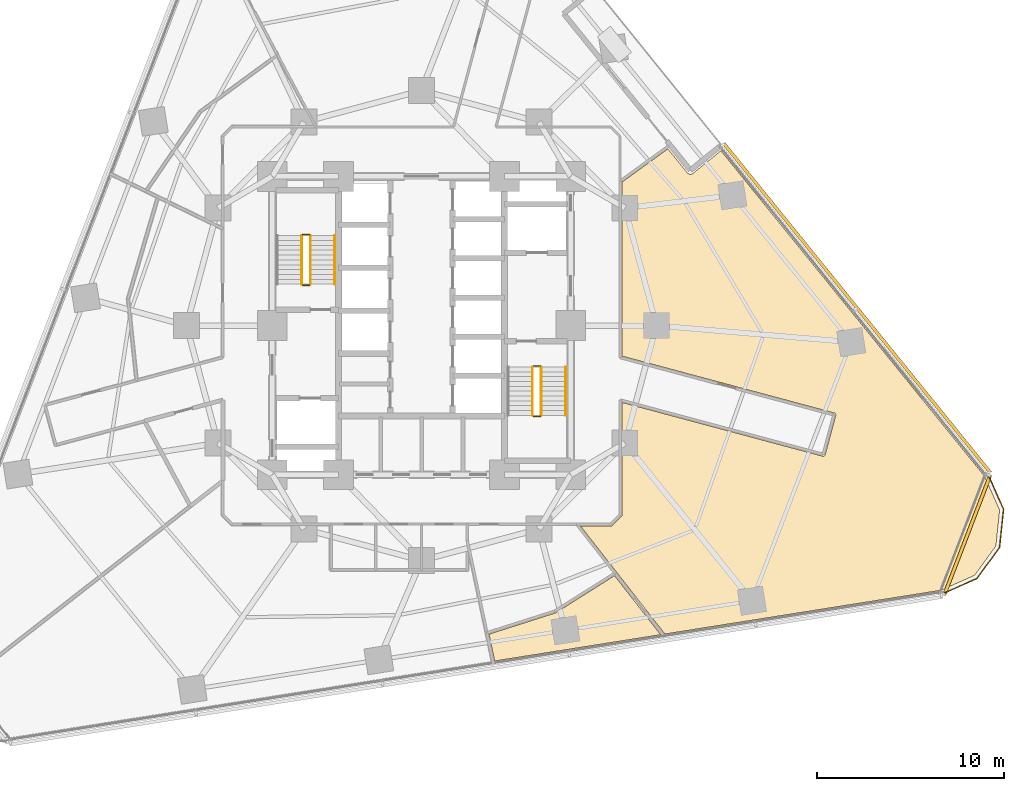
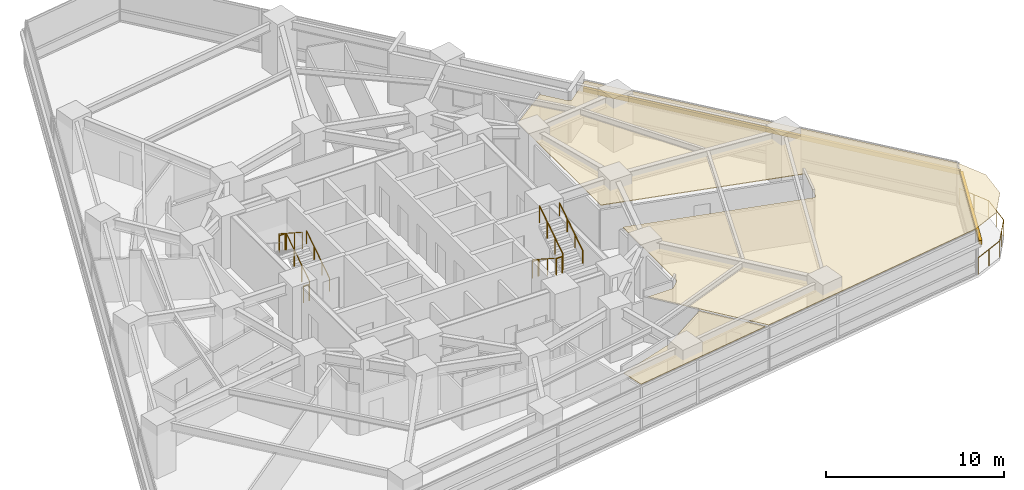
# One storey, part 12 of 13: 11 railings, 2 coverings, 2 shading devices.
"""IFC4 building model written with IfcOpenShell, lengths in metres."""

from ifc_helpers import new_model, si_unit, direction, frame, origin, origin_2d, place, context, subcontext, project, spatial, polyline, rectangle, circle, outline, extrude, material, layer, layer_set, type_object, element, save


model = new_model("IFC4")

# Units and contexts
model_context = context("Model", 3, precision=1e-05, world=origin(), true_north=direction((0.0, 1.0)))
body_context = subcontext(model_context, "Body", "Model", "MODEL_VIEW")
ifc_project = project(units=[si_unit("LENGTHUNIT", "METRE"), si_unit("AREAUNIT", "SQUARE_METRE"), si_unit("VOLUMEUNIT", "CUBIC_METRE"), si_unit("PLANEANGLEUNIT", "RADIAN"), si_unit("MASSUNIT", "GRAM", prefix="KILO")], contexts=[model_context])

# Site, building, storey
site_placement = place(None, origin())
site = spatial("IfcSite", under=ifc_project, at=site_placement, CompositionType="ELEMENT")
building_placement = place(site_placement, origin())
building = spatial("IfcBuilding", under=site, at=building_placement, Name="Terralouvre Media Tower", CompositionType="ELEMENT")
storey_placement = place(building_placement, frame((0.0, 0.0, 77.800048828125)))
storey = spatial("IfcBuildingStorey", under=building, at=storey_placement, Name="L19", CompositionType="ELEMENT", Elevation=77.800048828125)

# Coverings
ifc_material_1 = material(Name="Perforated aluminium acoustic ceiling baffle", Category="aluminium")
ifc_layer_1 = layer(ifc_material_1, 0.0400390625, Name="Perforated Acoustic Metal Tile Ceiling CL-AC1")
ifc_layer_set_1 = layer_set([ifc_layer_1], Name="Perforated aluminium acoustic ceiling baffle")
covering_type = type_object("IfcCoveringType", Name="Perforated Acoustic Metal Tile Ceiling CL-AC1", PredefinedType="CEILING", material=ifc_layer_set_1)
covering_1_placement = place(storey_placement, frame((0.0, 0.0, 2.97998046875), z_axis=(0.0, 0.0, 1.0), x_axis=(0.987688340595, 0.15643446504, 0.0)))
element("IfcCovering", 1, at=covering_1_placement, inside=storey, type_object=covering_type, Name="L19 Foreign Press Reading Study 1 Acoustic Ceiling", PredefinedType="CEILING", context=body_context, shape_type="SweptSolid", body=[
    extrude(outline(polyline([(17.325927734375, 6.7470703125), (15.6552734375, 5.782470703125), (15.64892578125, 5.779296875), (15.637939453125, 5.77392578125), (15.631591796875, 5.77099609375), (15.620849609375, 5.7666015625), (15.610107421875, 5.762939453125), (15.598388671875, 5.759765625), (15.5908203125, 5.758056640625), (15.579345703125, 5.755615234375), (15.5712890625, 5.75439453125), (15.559814453125, 5.753173828125), (15.5498046875, 5.752685546875), (15.53759765625, 5.752685546875), (15.529296875, 5.752685546875), (15.521240234375, 5.75390625), (15.49853515625, 5.75732421875), (15.490478515625, 5.759033203125), (15.482421875, 5.76123046875), (15.470947265625, 5.76513671875), (15.46142578125, 5.768798828125), (15.451171875, 5.7734375), (15.446044921875, 5.77587890625), (15.434814453125, 5.78173828125), (15.4228515625, 5.789306640625), (15.413818359375, 5.795654296875), (15.40771484375, 5.800537109375), (15.398681640625, 5.807861328125), (15.388916015625, 5.817138671875), (15.38037109375, 5.82666015625), (15.373291015625, 5.835205078125), (15.36669921875, 5.844482421875), (15.360107421875, 5.853515625), (15.3544921875, 5.8623046875), (14.529541015625, 7.291259765625), (11.820068359375, 5.91064453125), (10.361328125, -3.2998046875), (21.134521484375, -8.09619140625), (21.143310546875, -8.1005859375), (21.151611328125, -8.10595703125), (21.159423828125, -8.112060546875), (21.16650390625, -8.118896484375), (21.1728515625, -8.126220703125), (21.178466796875, -8.13427734375), (21.183349609375, -8.142822265625), (21.187255859375, -8.15185546875), (21.1904296875, -8.1611328125), (21.1923828125, -8.170654296875), (21.193603515625, -8.180419921875), (21.19384765625, -8.190185546875), (21.193115234375, -8.199951171875), (21.19140625, -8.209716796875), (21.188720703125, -8.21923828125), (21.185302734375, -8.228271484375), (20.289794921875, -10.238037109375), (20.285400390625, -10.24658203125), (20.280029296875, -10.255126953125), (20.274169921875, -10.2626953125), (20.267333984375, -10.269775390625), (20.259765625, -10.2763671875), (20.251708984375, -10.281982421875), (20.2431640625, -10.28662109375), (20.234375, -10.29052734375), (20.22509765625, -10.293701171875), (20.21533203125, -10.2958984375), (20.20556640625, -10.297119140625), (20.19580078125, -10.297119140625), (20.18603515625, -10.29638671875), (20.176513671875, -10.294921875), (20.1669921875, -10.292236328125), (20.15771484375, -10.28857421875), (9.972900390625, -5.753173828125), (9.02978515625, -11.706787109375), (9.02783203125, -11.71630859375), (9.02490234375, -11.7255859375), (9.02099609375, -11.734619140625), (9.016357421875, -11.743408203125), (9.0107421875, -11.75146484375), (9.00439453125, -11.759033203125), (8.99755859375, -11.765869140625), (8.98974609375, -11.77197265625), (8.417724609375, -12.1875), (8.409423828125, -12.19287109375), (8.40087890625, -12.197509765625), (8.391845703125, -12.201171875), (8.38232421875, -12.203857421875), (8.372802734375, -12.205810546875), (8.363037109375, -12.20654296875), (8.35302734375, -12.20654296875), (8.34326171875, -12.20556640625), (6.7392578125, -11.951416015625), (8.256591796875, -14.68896484375), (10.30126953125, -18.378662109375), (25.29052734375, -18.37890625), (27.196533203125, -17.8681640625), (28.56982421875, -16.494384765625), (29.072021484375, -14.617919921875), (28.561767578125, -12.71337890625), (17.325927734375, 6.7470703125)])), origin(), (0.0, 0.0, 1.0), 0.0400390625),
])
covering_2_placement = place(storey_placement, frame((0.0, 0.0, 2.97998046875), z_axis=(0.0, 0.0, 1.0), x_axis=(0.987688340595, 0.15643446504, 0.0)))
element("IfcCovering", 2, at=covering_2_placement, inside=storey, type_object=covering_type, Name="L19 Pacific Desk Workspace 8 Acoustic Ceiling", PredefinedType="CEILING", context=body_context, shape_type="SweptSolid", body=[
    extrude(outline(polyline([(4.697509765625, -16.337646484375), (4.689453125, -16.340576171875), (4.681396484375, -16.3427734375), (4.673095703125, -16.344482421875), (0.986328125, -16.9111328125), (1.06298828125, -18.37890625), (10.07275390625, -18.378662109375), (8.12548828125, -14.864990234375), (4.697509765625, -16.337646484375)])), origin(), (0.0, 0.0, 1.0), 0.0400390625),
])

# Railings
ifc_material_2 = material(Name="Stainless steel 316 handrail and balustrade", Category="steel")
ifc_layer_2 = layer(ifc_material_2, 0.06005859375, Name="Roof Edge Safety Guardrail GR-ROOF1")
ifc_layer_set_2 = layer_set([ifc_layer_2], Name="Stainless steel 316 handrail and balustrade")
railing_type_1 = type_object("IfcRailingType", Name="Roof Edge Safety Guardrail GR-ROOF1", PredefinedType="GUARDRAIL", material=ifc_layer_set_2)
railing_1_placement = place(storey_placement, frame((27.904296875, -14.401611328125, 0.0)))
element("IfcRailing", 3, at=railing_1_placement, inside=storey, type_object=railing_type_1, Name="L19 Wind-Corner Perimeter Safety Guardrail C1", PredefinedType="GUARDRAIL", context=body_context, shape_type="SweptSolid", body=[
    extrude(circle(Radius=0.02099609375, at=origin_2d()), frame((0.0, 0.0, 1.12890625), z_axis=(0.91366973946, 0.40645738669, 0.0), x_axis=(-0.40645738669, 0.91366973946, 0.0)), (0.0, 0.0, 1.0), 2.0595703125),
    extrude(circle(Radius=0.02099609375, at=origin_2d()), frame((1.8818359375, 0.837158203125, 1.12890625), z_axis=(0.587868563624, 0.808956458595, 0.0), x_axis=(-0.808956458595, 0.587868563624, 0.0)), (0.0, 0.0, 1.0), 2.0595703125),
    extrude(circle(Radius=0.02099609375, at=origin_2d()), frame((3.092529296875, 2.503173828125, 1.12890625), z_axis=(0.104456420886, 0.99452946469, 0.0), x_axis=(-0.99452946469, 0.104456420886, 0.0)), (0.0, 0.0, 1.0), 2.05908203125),
    extrude(circle(Radius=0.02099609375, at=origin_2d()), frame((3.3076171875, 4.551025390625, 1.12890625), z_axis=(-0.406996026336, 0.913429928646, 0.0), x_axis=(-0.913429928646, -0.406996026336, 0.0)), (0.0, 0.0, 1.0), 2.059814453125),
    extrude(circle(Radius=0.01904296875, at=origin_2d()), origin(), (0.0, 0.0, 1.0), 1.10791015625),
    extrude(circle(Radius=0.01904296875, at=origin_2d()), frame((0.94091796875, 0.41845703125, 0.0)), (0.0, 0.0, 1.0), 1.10791015625),
    extrude(circle(Radius=0.01904296875, at=origin_2d()), frame((1.8818359375, 0.837158203125, 0.0)), (0.0, 0.0, 1.0), 1.10791015625),
    extrude(circle(Radius=0.01904296875, at=origin_2d()), frame((2.4873046875, 1.670166015625, 0.0)), (0.0, 0.0, 1.0), 1.10791015625),
    extrude(circle(Radius=0.01904296875, at=origin_2d()), frame((3.092529296875, 2.503173828125, 0.0)), (0.0, 0.0, 1.0), 1.10791015625),
    extrude(circle(Radius=0.01904296875, at=origin_2d()), frame((3.2001953125, 3.527099609375, 0.0)), (0.0, 0.0, 1.0), 1.10791015625),
    extrude(circle(Radius=0.01904296875, at=origin_2d()), frame((3.3076171875, 4.551025390625, 0.0)), (0.0, 0.0, 1.0), 1.10791015625),
    extrude(circle(Radius=0.01904296875, at=origin_2d()), frame((2.888427734375, 5.49169921875, 0.0)), (0.0, 0.0, 1.0), 1.10791015625),
    extrude(circle(Radius=0.01904296875, at=origin_2d()), frame((2.46923828125, 6.4326171875, 0.0)), (0.0, 0.0, 1.0), 1.10791015625),
])
ifc_material_3 = material(Name="Stainless steel 316 handrail and balustrade", Category="steel")
ifc_layer_3 = layer(ifc_material_3, 0.050048828125, Name="Stair Flight Wall Handrail HR-INT1")
ifc_layer_set_3 = layer_set([ifc_layer_3], Name="Stainless steel 316 handrail and balustrade")
railing_type_2 = type_object("IfcRailingType", Name="Stair Flight Wall Handrail HR-INT1", PredefinedType="HANDRAIL", material=ifc_layer_set_3)
railing_2_placement = place(storey_placement, frame((-4.64990234375, 2.219970703125, 0.168212890625)))
element("IfcRailing", 4, at=railing_2_placement, inside=storey, type_object=railing_type_2, Name="L19 ST-01 stair handrail 1", PredefinedType="HANDRAIL", context=body_context, shape_type="SweptSolid", body=[
    extrude(circle(Radius=0.02392578125, at=origin_2d()), frame((0.0, 0.0, 0.8759765625), z_axis=(0.0, 0.839684365666, 0.543074733399), x_axis=(-1.0, 0.0, 0.0)), (0.0, 0.0, 1.0), 3.096435546875),
    extrude(circle(Radius=0.02099609375, at=origin_2d()), origin(), (0.0, 0.0, 1.0), 0.851806640625),
    extrude(circle(Radius=0.02099609375, at=origin_2d()), frame((0.0, 0.86669921875, 0.560546875)), (0.0, 0.0, 1.0), 0.851806640625),
    extrude(circle(Radius=0.02099609375, at=origin_2d()), frame((0.0, 1.7333984375, 1.12109375)), (0.0, 0.0, 1.0), 0.851806640625),
    extrude(circle(Radius=0.02099609375, at=origin_2d()), frame((0.0, 2.60009765625, 1.681640625)), (0.0, 0.0, 1.0), 0.851806640625),
])
railing_3_placement = place(storey_placement, frame((7.72998046875, -4.820068359375, 2.01806640625)))
element("IfcRailing", 5, at=railing_3_placement, inside=storey, type_object=railing_type_2, Name="L19 ST-02 stair handrail 2", PredefinedType="HANDRAIL", context=body_context, shape_type="SweptSolid", body=[
    extrude(circle(Radius=0.02392578125, at=origin_2d()), frame((0.0, 0.0, 0.8759765625), z_axis=(0.0, 0.839648411786, 0.543130320075), x_axis=(-1.0, 0.0, 0.0)), (0.0, 0.0, 1.0), 3.0966796875),
    extrude(circle(Radius=0.02099609375, at=origin_2d()), origin(), (0.0, 0.0, 1.0), 0.851806640625),
    extrude(circle(Radius=0.02099609375, at=origin_2d()), frame((0.0, 0.86669921875, 0.560546875)), (0.0, 0.0, 1.0), 0.851806640625),
    extrude(circle(Radius=0.02099609375, at=origin_2d()), frame((0.0, 1.7333984375, 1.121337890625)), (0.0, 0.0, 1.0), 0.851806640625),
    extrude(circle(Radius=0.02099609375, at=origin_2d()), frame((0.0, 2.60009765625, 1.681884765625)), (0.0, 0.0, 1.0), 0.851806640625),
])
ifc_material_4 = material(Name="Stainless steel 316 handrail and balustrade", Category="steel")
ifc_layer_4 = layer(ifc_material_4, 0.050048828125, Name="Stairwell Safety Guardrail GR-INT1")
ifc_layer_set_4 = layer_set([ifc_layer_4], Name="Stainless steel 316 handrail and balustrade")
railing_type_3 = type_object("IfcRailingType", Name="Stairwell Safety Guardrail GR-INT1", PredefinedType="GUARDRAIL", material=ifc_layer_set_4)
railing_4_placement = place(storey_placement, frame((-5.949951171875, 2.219970703125, 0.168212890625)))
element("IfcRailing", 6, at=railing_4_placement, inside=storey, type_object=railing_type_3, Name="L19 ST-01 stair guard 1", PredefinedType="GUARDRAIL", context=body_context, shape_type="SweptSolid", body=[
    extrude(circle(Radius=0.02392578125, at=origin_2d()), frame((0.0, 0.0, 1.1259765625), z_axis=(0.0, 0.839684365666, 0.543074733399), x_axis=(-1.0, 0.0, 0.0)), (0.0, 0.0, 1.0), 3.096435546875),
    extrude(circle(Radius=0.02099609375, at=origin_2d()), origin(), (0.0, 0.0, 1.0), 1.101806640625),
    extrude(circle(Radius=0.02099609375, at=origin_2d()), frame((0.0, 0.86669921875, 0.560546875)), (0.0, 0.0, 1.0), 1.101806640625),
    extrude(circle(Radius=0.02099609375, at=origin_2d()), frame((0.0, 1.7333984375, 1.12109375)), (0.0, 0.0, 1.0), 1.101806640625),
    extrude(circle(Radius=0.02099609375, at=origin_2d()), frame((0.0, 2.60009765625, 1.681640625)), (0.0, 0.0, 1.0), 1.101806640625),
])
railing_5_placement = place(storey_placement, frame((-6.0, 4.8701171875, 1.849853515625)))
element("IfcRailing", 7, at=railing_5_placement, inside=storey, type_object=railing_type_3, Name="L19 ST-01 stair guard 2", PredefinedType="GUARDRAIL", context=body_context, shape_type="SweptSolid", body=[
    extrude(circle(Radius=0.02392578125, at=origin_2d()), frame((0.0, 0.0, 1.1259765625), z_axis=(-1.0, 0.0, 0.0), x_axis=(0.0, -1.0, 0.0)), (0.0, 0.0, 1.0), 0.3798828125),
    extrude(circle(Radius=0.02099609375, at=origin_2d()), origin(), (0.0, 0.0, 1.0), 1.101806640625),
    extrude(circle(Radius=0.02099609375, at=origin_2d()), frame((-0.3798828125, 0.0, 0.0)), (0.0, 0.0, 1.0), 1.101806640625),
])
railing_6_placement = place(storey_placement, frame((-6.429931640625, 4.820068359375, 2.01806640625)))
element("IfcRailing", 8, at=railing_6_placement, inside=storey, type_object=railing_type_3, Name="L19 ST-01 stair guard 3", PredefinedType="GUARDRAIL", context=body_context, shape_type="SweptSolid", body=[
    extrude(circle(Radius=0.02392578125, at=origin_2d()), frame((0.0, 0.0, 1.1259765625), z_axis=(0.0, -0.839648411786, 0.543130320075), x_axis=(1.0, 0.0, 0.0)), (0.0, 0.0, 1.0), 3.0966796875),
    extrude(circle(Radius=0.02099609375, at=origin_2d()), origin(), (0.0, 0.0, 1.0), 1.101806640625),
    extrude(circle(Radius=0.02099609375, at=origin_2d()), frame((0.0, -0.86669921875, 0.560546875)), (0.0, 0.0, 1.0), 1.101806640625),
    extrude(circle(Radius=0.02099609375, at=origin_2d()), frame((0.0, -1.7333984375, 1.121337890625)), (0.0, 0.0, 1.0), 1.101806640625),
    extrude(circle(Radius=0.02099609375, at=origin_2d()), frame((0.0, -2.60009765625, 1.681884765625)), (0.0, 0.0, 1.0), 1.101806640625),
])
railing_7_placement = place(storey_placement, frame((-6.0, 2.169921875, 0.0)))
element("IfcRailing", 9, at=railing_7_placement, inside=storey, type_object=railing_type_3, Name="L19 ST-01 stair guard 4", PredefinedType="GUARDRAIL", context=body_context, shape_type="SweptSolid", body=[
    extrude(circle(Radius=0.02392578125, at=origin_2d()), frame((0.0, 0.0, 1.1259765625), z_axis=(-1.0, 0.0, 0.0), x_axis=(0.0, -1.0, 0.0)), (0.0, 0.0, 1.0), 0.3798828125),
    extrude(circle(Radius=0.02099609375, at=origin_2d()), origin(), (0.0, 0.0, 1.0), 1.101806640625),
    extrude(circle(Radius=0.02099609375, at=origin_2d()), frame((-0.3798828125, 0.0, 0.0)), (0.0, 0.0, 1.0), 1.101806640625),
])
railing_8_placement = place(storey_placement, frame((5.949951171875, -2.219970703125, 0.168212890625)))
element("IfcRailing", 10, at=railing_8_placement, inside=storey, type_object=railing_type_3, Name="L19 ST-02 stair guard 1", PredefinedType="GUARDRAIL", context=body_context, shape_type="SweptSolid", body=[
    extrude(circle(Radius=0.02392578125, at=origin_2d()), frame((0.0, 0.0, 1.1259765625), z_axis=(0.0, -0.839684365666, 0.543074733399), x_axis=(1.0, 0.0, 0.0)), (0.0, 0.0, 1.0), 3.096435546875),
    extrude(circle(Radius=0.02099609375, at=origin_2d()), origin(), (0.0, 0.0, 1.0), 1.101806640625),
    extrude(circle(Radius=0.02099609375, at=origin_2d()), frame((0.0, -0.86669921875, 0.560546875)), (0.0, 0.0, 1.0), 1.101806640625),
    extrude(circle(Radius=0.02099609375, at=origin_2d()), frame((0.0, -1.7333984375, 1.12109375)), (0.0, 0.0, 1.0), 1.101806640625),
    extrude(circle(Radius=0.02099609375, at=origin_2d()), frame((0.0, -2.60009765625, 1.681640625)), (0.0, 0.0, 1.0), 1.101806640625),
])
railing_9_placement = place(storey_placement, frame((6.0, -4.8701171875, 1.849853515625)))
element("IfcRailing", 11, at=railing_9_placement, inside=storey, type_object=railing_type_3, Name="L19 ST-02 stair guard 2", PredefinedType="GUARDRAIL", context=body_context, shape_type="SweptSolid", body=[
    extrude(circle(Radius=0.02392578125, at=origin_2d()), frame((0.0, 0.0, 1.1259765625), z_axis=(1.0, 0.0, 0.0), x_axis=(0.0, 1.0, 0.0)), (0.0, 0.0, 1.0), 0.3798828125),
    extrude(circle(Radius=0.02099609375, at=origin_2d()), origin(), (0.0, 0.0, 1.0), 1.101806640625),
    extrude(circle(Radius=0.02099609375, at=origin_2d()), frame((0.3798828125, 0.0, 0.0)), (0.0, 0.0, 1.0), 1.101806640625),
])
railing_10_placement = place(storey_placement, frame((6.429931640625, -4.820068359375, 2.01806640625)))
element("IfcRailing", 12, at=railing_10_placement, inside=storey, type_object=railing_type_3, Name="L19 ST-02 stair guard 3", PredefinedType="GUARDRAIL", context=body_context, shape_type="SweptSolid", body=[
    extrude(circle(Radius=0.02392578125, at=origin_2d()), frame((0.0, 0.0, 1.1259765625), z_axis=(0.0, 0.839648411786, 0.543130320075), x_axis=(-1.0, 0.0, 0.0)), (0.0, 0.0, 1.0), 3.0966796875),
    extrude(circle(Radius=0.02099609375, at=origin_2d()), origin(), (0.0, 0.0, 1.0), 1.101806640625),
    extrude(circle(Radius=0.02099609375, at=origin_2d()), frame((0.0, 0.86669921875, 0.560546875)), (0.0, 0.0, 1.0), 1.101806640625),
    extrude(circle(Radius=0.02099609375, at=origin_2d()), frame((0.0, 1.7333984375, 1.121337890625)), (0.0, 0.0, 1.0), 1.101806640625),
    extrude(circle(Radius=0.02099609375, at=origin_2d()), frame((0.0, 2.60009765625, 1.681884765625)), (0.0, 0.0, 1.0), 1.101806640625),
])
railing_11_placement = place(storey_placement, frame((6.0, -2.169921875, 0.0)))
element("IfcRailing", 13, at=railing_11_placement, inside=storey, type_object=railing_type_3, Name="L19 ST-02 stair guard 4", PredefinedType="GUARDRAIL", context=body_context, shape_type="SweptSolid", body=[
    extrude(circle(Radius=0.02392578125, at=origin_2d()), frame((0.0, 0.0, 1.1259765625), z_axis=(1.0, 0.0, 0.0), x_axis=(0.0, 1.0, 0.0)), (0.0, 0.0, 1.0), 0.3798828125),
    extrude(circle(Radius=0.02099609375, at=origin_2d()), origin(), (0.0, 0.0, 1.0), 1.101806640625),
    extrude(circle(Radius=0.02099609375, at=origin_2d()), frame((0.3798828125, 0.0, 0.0)), (0.0, 0.0, 1.0), 1.101806640625),
])

# Shading devices
ifc_material_5 = material(Name="Extruded terracotta baguette sunshade louvres", Category="masonry")
shading_device_type = type_object("IfcShadingDeviceType", Name="Terracotta Baguette Sunshade Louvre Screen TB-LV1", PredefinedType="USERDEFINED", material=ifc_material_5)
shading_device_1_placement = place(storey_placement, frame((23.347900390625, 0.943603515625, 2.02392578125), z_axis=(0.0, 0.0, 1.0), x_axis=(-0.629320278661, 0.777146052468, 0.0)))
element("IfcShadingDevice", 14, at=shading_device_1_placement, inside=storey, type_object=shading_device_type, Name="CW-L19-F1L Terracotta Baguette Sunshade Louvre", ObjectType="BAGUETTE", PredefinedType="USERDEFINED", context=body_context, shape_type="SweptSolid", body=[
    extrude(rectangle(XDim=22.719970703125, YDim=0.179931640625, at=origin_2d()), origin(), (0.0, 0.0, 1.0), 0.280029296875),
])
shading_device_2_placement = place(storey_placement, frame((29.264892578125, -11.23388671875, 2.02392578125), z_axis=(0.0, 0.0, 1.0), x_axis=(0.358367472863, 0.933580609478, 0.0)))
element("IfcShadingDevice", 15, at=shading_device_2_placement, inside=storey, type_object=shading_device_type, Name="CW-L19-C1 Terracotta Baguette Sunshade Louvre", ObjectType="BAGUETTE", PredefinedType="USERDEFINED", context=body_context, shape_type="SweptSolid", body=[
    extrude(rectangle(XDim=6.8935546875, YDim=0.179931640625, at=origin_2d()), origin(), (0.0, 0.0, 1.0), 0.280029296875),
])

save(model, "model.ifc")
